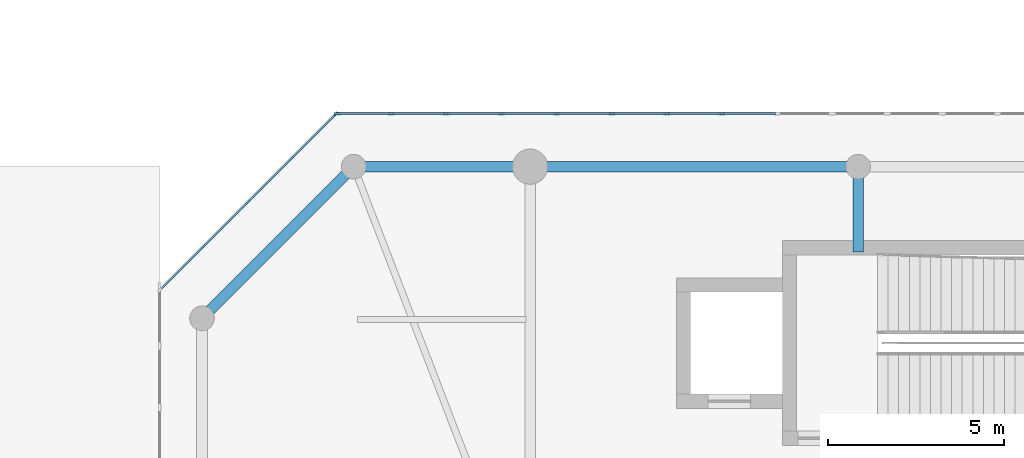
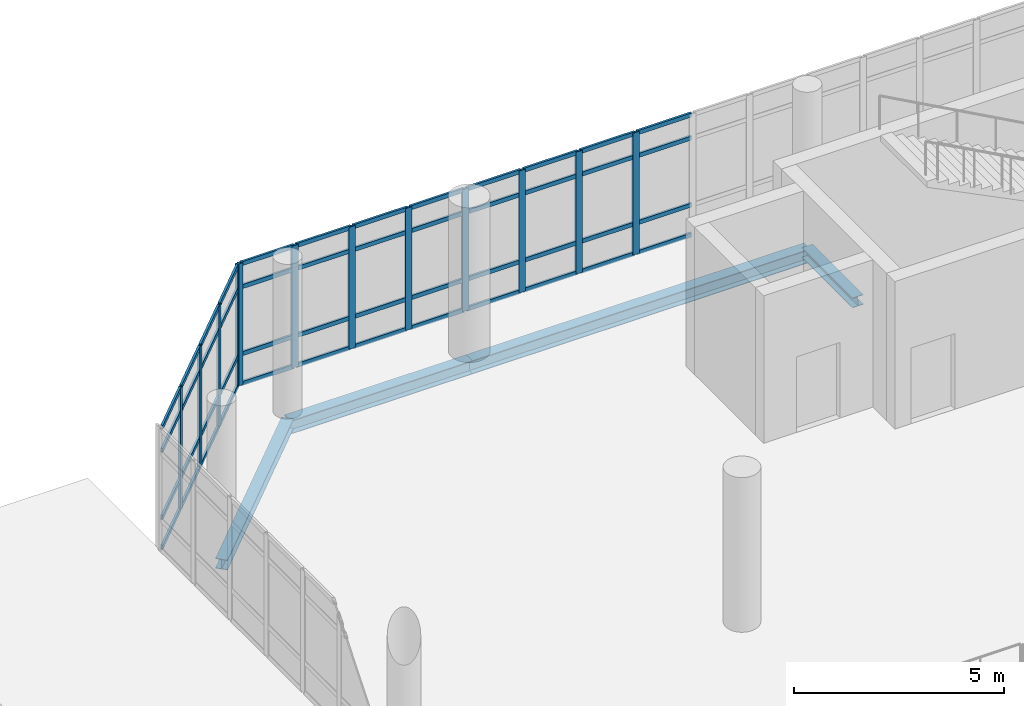
# One storey, part 50 of 134: 60 members, 4 beams, 2 elements without a shape of their own.
"""IFC4 building model written with IfcOpenShell, lengths in metres."""

from ifc_helpers import new_model, si_unit, direction, frame, origin, origin_2d, place, context, subcontext, project, spatial, rectangle, i_section, extrude, material, layer, layer_set, material_profile, profile_set, type_object, element, aggregate, save


model = new_model("IFC4")

# Units and contexts
model_context = context("Model", 3, precision=1e-05, world=origin(), true_north=direction((0.0, 1.0)))
body_context = subcontext(model_context, "Body", "Model", "MODEL_VIEW")
ifc_project = project(units=[si_unit("LENGTHUNIT", "METRE"), si_unit("AREAUNIT", "SQUARE_METRE"), si_unit("VOLUMEUNIT", "CUBIC_METRE"), si_unit("PLANEANGLEUNIT", "RADIAN"), si_unit("MASSUNIT", "GRAM", prefix="KILO")], contexts=[model_context])

# Site, building, storey
site_placement = place(None, origin())
site = spatial("IfcSite", under=ifc_project, at=site_placement, CompositionType="ELEMENT")
building_placement = place(site_placement, origin())
building = spatial("IfcBuilding", under=site, at=building_placement, Name="Sohan Crest Arena", CompositionType="ELEMENT")
storey_placement = place(building_placement, frame((0.0, 0.0, 4.5)))
storey = spatial("IfcBuildingStorey", under=building, at=storey_placement, Name="L01", CompositionType="ELEMENT", Elevation=4.5)

# Curtain wall, members
ifc_material_1 = material(Name="Thermally broken anodised aluminium", Category="aluminium")
ifc_layer = layer(ifc_material_1, 0.199951171875, Name="Thermally broken anodised aluminium")
ifc_layer_set = layer_set([ifc_layer], Name="Thermally broken anodised aluminium")
curtain_wall_type = type_object("IfcCurtainWallType", Name="ARC-CW02", PredefinedType="NOTDEFINED", material=ifc_layer_set)
curtain_wall_1_placement = place(storey_placement, origin())
curtain_wall_1 = element("IfcCurtainWall", 1, at=curtain_wall_1_placement, inside=storey, type_object=curtain_wall_type, Name="Unitised curtain wall CW-207", PredefinedType="NOTDEFINED")
ifc_material_profile_1 = material_profile(ifc_material_1, rectangle(XDim=0.06494140625, YDim=0.179931640625, at=origin_2d()), Name="ALU-MULL 65x180")
ifc_profile_set_1 = profile_set([ifc_material_profile_1], Name="Thermally broken anodised aluminium")
member_type_1 = type_object("IfcMemberType", Name="ARC-CW-ML02", PredefinedType="MULLION", material=ifc_profile_set_1)
member_1_placement = place(storey_placement, frame((29.9375, 106.0, 0.0), z_axis=(0.0, 0.0, 1.0), x_axis=(0.0, -1.0, 0.0)))
member_1 = element("IfcMember", 2, at=member_1_placement, type_object=member_type_1, Name="CW-207 mullion 10", PredefinedType="MULLION", context=body_context, shape_type="SweptSolid", body=[
    extrude(rectangle(XDim=0.06494140625, YDim=0.179931640625, at=origin_2d()), origin(), (0.0, 0.0, 1.0), 3.550048828125),
])
member_2_placement = place(storey_placement, frame((28.375, 106.0, 0.0), z_axis=(0.0, 0.0, 1.0), x_axis=(0.0, -1.0, 0.0)))
member_2 = element("IfcMember", 3, at=member_2_placement, type_object=member_type_1, Name="CW-207 mullion 11", PredefinedType="MULLION", context=body_context, shape_type="SweptSolid", body=[
    extrude(rectangle(XDim=0.06494140625, YDim=0.179931640625, at=origin_2d()), origin(), (0.0, 0.0, 1.0), 3.550048828125),
])
member_3_placement = place(storey_placement, frame((26.8125, 106.0, 0.0), z_axis=(0.0, 0.0, 1.0), x_axis=(0.0, -1.0, 0.0)))
member_3 = element("IfcMember", 4, at=member_3_placement, type_object=member_type_1, Name="CW-207 mullion 12", PredefinedType="MULLION", context=body_context, shape_type="SweptSolid", body=[
    extrude(rectangle(XDim=0.06494140625, YDim=0.179931640625, at=origin_2d()), origin(), (0.0, 0.0, 1.0), 3.550048828125),
])
member_4_placement = place(storey_placement, frame((25.25, 106.0, 0.0), z_axis=(0.0, 0.0, 1.0), x_axis=(0.0, -1.0, 0.0)))
member_4 = element("IfcMember", 5, at=member_4_placement, type_object=member_type_1, Name="CW-207 mullion 13", PredefinedType="MULLION", context=body_context, shape_type="SweptSolid", body=[
    extrude(rectangle(XDim=0.06494140625, YDim=0.179931640625, at=origin_2d()), origin(), (0.0, 0.0, 1.0), 3.550048828125),
])
member_5_placement = place(storey_placement, frame((23.6875, 106.0, 0.0), z_axis=(0.0, 0.0, 1.0), x_axis=(0.0, -1.0, 0.0)))
member_5 = element("IfcMember", 6, at=member_5_placement, type_object=member_type_1, Name="CW-207 mullion 14", PredefinedType="MULLION", context=body_context, shape_type="SweptSolid", body=[
    extrude(rectangle(XDim=0.06494140625, YDim=0.179931640625, at=origin_2d()), origin(), (0.0, 0.0, 1.0), 3.550048828125),
])
member_6_placement = place(storey_placement, frame((22.125, 106.0, 0.0), z_axis=(0.0, 0.0, 1.0), x_axis=(0.0, -1.0, 0.0)))
member_6 = element("IfcMember", 7, at=member_6_placement, type_object=member_type_1, Name="CW-207 mullion 15", PredefinedType="MULLION", context=body_context, shape_type="SweptSolid", body=[
    extrude(rectangle(XDim=0.06494140625, YDim=0.179931640625, at=origin_2d()), origin(), (0.0, 0.0, 1.0), 3.550048828125),
])
member_7_placement = place(storey_placement, frame((20.5625, 106.0, 0.0), z_axis=(0.0, 0.0, 1.0), x_axis=(0.0, -1.0, 0.0)))
member_7 = element("IfcMember", 8, at=member_7_placement, type_object=member_type_1, Name="CW-207 mullion 16", PredefinedType="MULLION", context=body_context, shape_type="SweptSolid", body=[
    extrude(rectangle(XDim=0.06494140625, YDim=0.179931640625, at=origin_2d()), origin(), (0.0, 0.0, 1.0), 3.550048828125),
])
member_8_placement = place(storey_placement, frame((19.032470703125, 106.0, 0.0), z_axis=(0.0, 0.0, 1.0), x_axis=(0.0, -1.0, 0.0)))
member_8 = element("IfcMember", 9, at=member_8_placement, type_object=member_type_1, Name="CW-207 mullion 17", PredefinedType="MULLION", context=body_context, shape_type="SweptSolid", body=[
    extrude(rectangle(XDim=0.06494140625, YDim=0.179931640625, at=origin_2d()), origin(), (0.0, 0.0, 1.0), 3.550048828125),
])

curtain_wall_2_placement = place(storey_placement, origin())
curtain_wall_2 = element("IfcCurtainWall", 10, at=curtain_wall_2_placement, inside=storey, type_object=curtain_wall_type, Name="Unitised curtain wall CW-208", PredefinedType="NOTDEFINED")
member_9_placement = place(storey_placement, frame((18.97705078125, 105.97705078125, 0.0), z_axis=(0.0, 0.0, 1.0), x_axis=(0.707106781187, -0.707106781187, 0.0)))
member_9 = element("IfcMember", 11, at=member_9_placement, type_object=member_type_1, Name="CW-208 mullion 1", PredefinedType="MULLION", context=body_context, shape_type="SweptSolid", body=[
    extrude(rectangle(XDim=0.06494140625, YDim=0.179931640625, at=origin_2d()), origin(), (0.0, 0.0, 1.0), 3.550048828125),
])
member_10_placement = place(storey_placement, frame((17.75, 104.75, 0.0), z_axis=(0.0, 0.0, 1.0), x_axis=(0.707106781187, -0.707106781187, 0.0)))
member_10 = element("IfcMember", 12, at=member_10_placement, type_object=member_type_1, Name="CW-208 mullion 2", PredefinedType="MULLION", context=body_context, shape_type="SweptSolid", body=[
    extrude(rectangle(XDim=0.06494140625, YDim=0.179931640625, at=origin_2d()), origin(), (0.0, 0.0, 1.0), 3.550048828125),
])
member_11_placement = place(storey_placement, frame((16.5, 103.5, 0.0), z_axis=(0.0, 0.0, 1.0), x_axis=(0.707106781187, -0.707106781187, 0.0)))
member_11 = element("IfcMember", 13, at=member_11_placement, type_object=member_type_1, Name="CW-208 mullion 3", PredefinedType="MULLION", context=body_context, shape_type="SweptSolid", body=[
    extrude(rectangle(XDim=0.06494140625, YDim=0.179931640625, at=origin_2d()), origin(), (0.0, 0.0, 1.0), 3.550048828125),
])
member_12_placement = place(storey_placement, frame((15.25, 102.25, 0.0), z_axis=(0.0, 0.0, 1.0), x_axis=(0.707106781187, -0.707106781187, 0.0)))
member_12 = element("IfcMember", 14, at=member_12_placement, type_object=member_type_1, Name="CW-208 mullion 4", PredefinedType="MULLION", context=body_context, shape_type="SweptSolid", body=[
    extrude(rectangle(XDim=0.06494140625, YDim=0.179931640625, at=origin_2d()), origin(), (0.0, 0.0, 1.0), 3.550048828125),
])

# Member
ifc_material_profile_2 = material_profile(ifc_material_1, rectangle(XDim=0.06005859375, YDim=0.1201171875, at=origin_2d()), Name="ALU-TRAN 60x120")
ifc_profile_set_2 = profile_set([ifc_material_profile_2], Name="Thermally broken anodised aluminium")
member_type_2 = type_object("IfcMemberType", Name="ARC-CW-TR01", PredefinedType="USERDEFINED", material=ifc_profile_set_2)
member_13_placement = place(storey_placement, frame((31.467529296875, 106.0, 0.030029296875), z_axis=(-1.0, 0.0, 0.0), x_axis=(0.0, -1.0, 0.0)))
member_13 = element("IfcMember", 15, at=member_13_placement, type_object=member_type_2, Name="CW-207 transom 9.1", ObjectType="TRANSOM", PredefinedType="USERDEFINED", context=body_context, shape_type="SweptSolid", body=[
    extrude(rectangle(XDim=0.06005859375, YDim=0.1201171875, at=origin_2d()), origin(), (0.0, 0.0, 1.0), 1.49755859375),
])

member_14_placement = place(storey_placement, frame((31.467529296875, 106.0, 0.89990234375), z_axis=(-1.0, 0.0, 0.0), x_axis=(0.0, -1.0, 0.0)))
member_14 = element("IfcMember", 16, at=member_14_placement, type_object=member_type_2, Name="CW-207 transom 9.2", ObjectType="TRANSOM", PredefinedType="USERDEFINED", context=body_context, shape_type="SweptSolid", body=[
    extrude(rectangle(XDim=0.06005859375, YDim=0.1201171875, at=origin_2d()), origin(), (0.0, 0.0, 1.0), 1.49755859375),
])

member_15_placement = place(storey_placement, frame((31.467529296875, 106.0, 2.85009765625), z_axis=(-1.0, 0.0, 0.0), x_axis=(0.0, -1.0, 0.0)))
member_15 = element("IfcMember", 17, at=member_15_placement, type_object=member_type_2, Name="CW-207 transom 9.3", ObjectType="TRANSOM", PredefinedType="USERDEFINED", context=body_context, shape_type="SweptSolid", body=[
    extrude(rectangle(XDim=0.06005859375, YDim=0.1201171875, at=origin_2d()), origin(), (0.0, 0.0, 1.0), 1.49755859375),
])

member_16_placement = place(storey_placement, frame((31.467529296875, 106.0, 3.52001953125), z_axis=(-1.0, 0.0, 0.0), x_axis=(0.0, -1.0, 0.0)))
member_16 = element("IfcMember", 18, at=member_16_placement, type_object=member_type_2, Name="CW-207 transom 9.4", ObjectType="TRANSOM", PredefinedType="USERDEFINED", context=body_context, shape_type="SweptSolid", body=[
    extrude(rectangle(XDim=0.06005859375, YDim=0.1201171875, at=origin_2d()), origin(), (0.0, 0.0, 1.0), 1.49755859375),
])

member_17_placement = place(storey_placement, frame((29.905029296875, 106.0, 0.030029296875), z_axis=(-1.0, 0.0, 0.0), x_axis=(0.0, -1.0, 0.0)))
member_17 = element("IfcMember", 19, at=member_17_placement, type_object=member_type_2, Name="CW-207 transom 10.1", ObjectType="TRANSOM", PredefinedType="USERDEFINED", context=body_context, shape_type="SweptSolid", body=[
    extrude(rectangle(XDim=0.06005859375, YDim=0.1201171875, at=origin_2d()), origin(), (0.0, 0.0, 1.0), 1.49755859375),
])

member_18_placement = place(storey_placement, frame((29.905029296875, 106.0, 0.89990234375), z_axis=(-1.0, 0.0, 0.0), x_axis=(0.0, -1.0, 0.0)))
member_18 = element("IfcMember", 20, at=member_18_placement, type_object=member_type_2, Name="CW-207 transom 10.2", ObjectType="TRANSOM", PredefinedType="USERDEFINED", context=body_context, shape_type="SweptSolid", body=[
    extrude(rectangle(XDim=0.06005859375, YDim=0.1201171875, at=origin_2d()), origin(), (0.0, 0.0, 1.0), 1.49755859375),
])

member_19_placement = place(storey_placement, frame((29.905029296875, 106.0, 2.85009765625), z_axis=(-1.0, 0.0, 0.0), x_axis=(0.0, -1.0, 0.0)))
member_19 = element("IfcMember", 21, at=member_19_placement, type_object=member_type_2, Name="CW-207 transom 10.3", ObjectType="TRANSOM", PredefinedType="USERDEFINED", context=body_context, shape_type="SweptSolid", body=[
    extrude(rectangle(XDim=0.06005859375, YDim=0.1201171875, at=origin_2d()), origin(), (0.0, 0.0, 1.0), 1.49755859375),
])

member_20_placement = place(storey_placement, frame((29.905029296875, 106.0, 3.52001953125), z_axis=(-1.0, 0.0, 0.0), x_axis=(0.0, -1.0, 0.0)))
member_20 = element("IfcMember", 22, at=member_20_placement, type_object=member_type_2, Name="CW-207 transom 10.4", ObjectType="TRANSOM", PredefinedType="USERDEFINED", context=body_context, shape_type="SweptSolid", body=[
    extrude(rectangle(XDim=0.06005859375, YDim=0.1201171875, at=origin_2d()), origin(), (0.0, 0.0, 1.0), 1.49755859375),
])

member_21_placement = place(storey_placement, frame((28.342529296875, 106.0, 0.030029296875), z_axis=(-1.0, 0.0, 0.0), x_axis=(0.0, -1.0, 0.0)))
member_21 = element("IfcMember", 23, at=member_21_placement, type_object=member_type_2, Name="CW-207 transom 11.1", ObjectType="TRANSOM", PredefinedType="USERDEFINED", context=body_context, shape_type="SweptSolid", body=[
    extrude(rectangle(XDim=0.06005859375, YDim=0.1201171875, at=origin_2d()), origin(), (0.0, 0.0, 1.0), 1.49755859375),
])

member_22_placement = place(storey_placement, frame((28.342529296875, 106.0, 0.89990234375), z_axis=(-1.0, 0.0, 0.0), x_axis=(0.0, -1.0, 0.0)))
member_22 = element("IfcMember", 24, at=member_22_placement, type_object=member_type_2, Name="CW-207 transom 11.2", ObjectType="TRANSOM", PredefinedType="USERDEFINED", context=body_context, shape_type="SweptSolid", body=[
    extrude(rectangle(XDim=0.06005859375, YDim=0.1201171875, at=origin_2d()), origin(), (0.0, 0.0, 1.0), 1.49755859375),
])

member_23_placement = place(storey_placement, frame((28.342529296875, 106.0, 2.85009765625), z_axis=(-1.0, 0.0, 0.0), x_axis=(0.0, -1.0, 0.0)))
member_23 = element("IfcMember", 25, at=member_23_placement, type_object=member_type_2, Name="CW-207 transom 11.3", ObjectType="TRANSOM", PredefinedType="USERDEFINED", context=body_context, shape_type="SweptSolid", body=[
    extrude(rectangle(XDim=0.06005859375, YDim=0.1201171875, at=origin_2d()), origin(), (0.0, 0.0, 1.0), 1.49755859375),
])

member_24_placement = place(storey_placement, frame((28.342529296875, 106.0, 3.52001953125), z_axis=(-1.0, 0.0, 0.0), x_axis=(0.0, -1.0, 0.0)))
member_24 = element("IfcMember", 26, at=member_24_placement, type_object=member_type_2, Name="CW-207 transom 11.4", ObjectType="TRANSOM", PredefinedType="USERDEFINED", context=body_context, shape_type="SweptSolid", body=[
    extrude(rectangle(XDim=0.06005859375, YDim=0.1201171875, at=origin_2d()), origin(), (0.0, 0.0, 1.0), 1.49755859375),
])

member_25_placement = place(storey_placement, frame((26.780029296875, 106.0, 0.030029296875), z_axis=(-1.0, 0.0, 0.0), x_axis=(0.0, -1.0, 0.0)))
member_25 = element("IfcMember", 27, at=member_25_placement, type_object=member_type_2, Name="CW-207 transom 12.1", ObjectType="TRANSOM", PredefinedType="USERDEFINED", context=body_context, shape_type="SweptSolid", body=[
    extrude(rectangle(XDim=0.06005859375, YDim=0.1201171875, at=origin_2d()), origin(), (0.0, 0.0, 1.0), 1.49755859375),
])

member_26_placement = place(storey_placement, frame((26.780029296875, 106.0, 0.89990234375), z_axis=(-1.0, 0.0, 0.0), x_axis=(0.0, -1.0, 0.0)))
member_26 = element("IfcMember", 28, at=member_26_placement, type_object=member_type_2, Name="CW-207 transom 12.2", ObjectType="TRANSOM", PredefinedType="USERDEFINED", context=body_context, shape_type="SweptSolid", body=[
    extrude(rectangle(XDim=0.06005859375, YDim=0.1201171875, at=origin_2d()), origin(), (0.0, 0.0, 1.0), 1.49755859375),
])

member_27_placement = place(storey_placement, frame((26.780029296875, 106.0, 2.85009765625), z_axis=(-1.0, 0.0, 0.0), x_axis=(0.0, -1.0, 0.0)))
member_27 = element("IfcMember", 29, at=member_27_placement, type_object=member_type_2, Name="CW-207 transom 12.3", ObjectType="TRANSOM", PredefinedType="USERDEFINED", context=body_context, shape_type="SweptSolid", body=[
    extrude(rectangle(XDim=0.06005859375, YDim=0.1201171875, at=origin_2d()), origin(), (0.0, 0.0, 1.0), 1.49755859375),
])

member_28_placement = place(storey_placement, frame((26.780029296875, 106.0, 3.52001953125), z_axis=(-1.0, 0.0, 0.0), x_axis=(0.0, -1.0, 0.0)))
member_28 = element("IfcMember", 30, at=member_28_placement, type_object=member_type_2, Name="CW-207 transom 12.4", ObjectType="TRANSOM", PredefinedType="USERDEFINED", context=body_context, shape_type="SweptSolid", body=[
    extrude(rectangle(XDim=0.06005859375, YDim=0.1201171875, at=origin_2d()), origin(), (0.0, 0.0, 1.0), 1.49755859375),
])

member_29_placement = place(storey_placement, frame((25.217529296875, 106.0, 0.030029296875), z_axis=(-1.0, 0.0, 0.0), x_axis=(0.0, -1.0, 0.0)))
member_29 = element("IfcMember", 31, at=member_29_placement, type_object=member_type_2, Name="CW-207 transom 13.1", ObjectType="TRANSOM", PredefinedType="USERDEFINED", context=body_context, shape_type="SweptSolid", body=[
    extrude(rectangle(XDim=0.06005859375, YDim=0.1201171875, at=origin_2d()), origin(), (0.0, 0.0, 1.0), 1.49755859375),
])

member_30_placement = place(storey_placement, frame((25.217529296875, 106.0, 0.89990234375), z_axis=(-1.0, 0.0, 0.0), x_axis=(0.0, -1.0, 0.0)))
member_30 = element("IfcMember", 32, at=member_30_placement, type_object=member_type_2, Name="CW-207 transom 13.2", ObjectType="TRANSOM", PredefinedType="USERDEFINED", context=body_context, shape_type="SweptSolid", body=[
    extrude(rectangle(XDim=0.06005859375, YDim=0.1201171875, at=origin_2d()), origin(), (0.0, 0.0, 1.0), 1.49755859375),
])

member_31_placement = place(storey_placement, frame((25.217529296875, 106.0, 2.85009765625), z_axis=(-1.0, 0.0, 0.0), x_axis=(0.0, -1.0, 0.0)))
member_31 = element("IfcMember", 33, at=member_31_placement, type_object=member_type_2, Name="CW-207 transom 13.3", ObjectType="TRANSOM", PredefinedType="USERDEFINED", context=body_context, shape_type="SweptSolid", body=[
    extrude(rectangle(XDim=0.06005859375, YDim=0.1201171875, at=origin_2d()), origin(), (0.0, 0.0, 1.0), 1.49755859375),
])

member_32_placement = place(storey_placement, frame((25.217529296875, 106.0, 3.52001953125), z_axis=(-1.0, 0.0, 0.0), x_axis=(0.0, -1.0, 0.0)))
member_32 = element("IfcMember", 34, at=member_32_placement, type_object=member_type_2, Name="CW-207 transom 13.4", ObjectType="TRANSOM", PredefinedType="USERDEFINED", context=body_context, shape_type="SweptSolid", body=[
    extrude(rectangle(XDim=0.06005859375, YDim=0.1201171875, at=origin_2d()), origin(), (0.0, 0.0, 1.0), 1.49755859375),
])

member_33_placement = place(storey_placement, frame((23.655029296875, 106.0, 0.030029296875), z_axis=(-1.0, 0.0, 0.0), x_axis=(0.0, -1.0, 0.0)))
member_33 = element("IfcMember", 35, at=member_33_placement, type_object=member_type_2, Name="CW-207 transom 14.1", ObjectType="TRANSOM", PredefinedType="USERDEFINED", context=body_context, shape_type="SweptSolid", body=[
    extrude(rectangle(XDim=0.06005859375, YDim=0.1201171875, at=origin_2d()), origin(), (0.0, 0.0, 1.0), 1.49755859375),
])

member_34_placement = place(storey_placement, frame((23.655029296875, 106.0, 0.89990234375), z_axis=(-1.0, 0.0, 0.0), x_axis=(0.0, -1.0, 0.0)))
member_34 = element("IfcMember", 36, at=member_34_placement, type_object=member_type_2, Name="CW-207 transom 14.2", ObjectType="TRANSOM", PredefinedType="USERDEFINED", context=body_context, shape_type="SweptSolid", body=[
    extrude(rectangle(XDim=0.06005859375, YDim=0.1201171875, at=origin_2d()), origin(), (0.0, 0.0, 1.0), 1.49755859375),
])

member_35_placement = place(storey_placement, frame((23.655029296875, 106.0, 2.85009765625), z_axis=(-1.0, 0.0, 0.0), x_axis=(0.0, -1.0, 0.0)))
member_35 = element("IfcMember", 37, at=member_35_placement, type_object=member_type_2, Name="CW-207 transom 14.3", ObjectType="TRANSOM", PredefinedType="USERDEFINED", context=body_context, shape_type="SweptSolid", body=[
    extrude(rectangle(XDim=0.06005859375, YDim=0.1201171875, at=origin_2d()), origin(), (0.0, 0.0, 1.0), 1.49755859375),
])

member_36_placement = place(storey_placement, frame((23.655029296875, 106.0, 3.52001953125), z_axis=(-1.0, 0.0, 0.0), x_axis=(0.0, -1.0, 0.0)))
member_36 = element("IfcMember", 38, at=member_36_placement, type_object=member_type_2, Name="CW-207 transom 14.4", ObjectType="TRANSOM", PredefinedType="USERDEFINED", context=body_context, shape_type="SweptSolid", body=[
    extrude(rectangle(XDim=0.06005859375, YDim=0.1201171875, at=origin_2d()), origin(), (0.0, 0.0, 1.0), 1.49755859375),
])

member_37_placement = place(storey_placement, frame((22.092529296875, 106.0, 0.030029296875), z_axis=(-1.0, 0.0, 0.0), x_axis=(0.0, -1.0, 0.0)))
member_37 = element("IfcMember", 39, at=member_37_placement, type_object=member_type_2, Name="CW-207 transom 15.1", ObjectType="TRANSOM", PredefinedType="USERDEFINED", context=body_context, shape_type="SweptSolid", body=[
    extrude(rectangle(XDim=0.06005859375, YDim=0.1201171875, at=origin_2d()), origin(), (0.0, 0.0, 1.0), 1.49755859375),
])

member_38_placement = place(storey_placement, frame((22.092529296875, 106.0, 0.89990234375), z_axis=(-1.0, 0.0, 0.0), x_axis=(0.0, -1.0, 0.0)))
member_38 = element("IfcMember", 40, at=member_38_placement, type_object=member_type_2, Name="CW-207 transom 15.2", ObjectType="TRANSOM", PredefinedType="USERDEFINED", context=body_context, shape_type="SweptSolid", body=[
    extrude(rectangle(XDim=0.06005859375, YDim=0.1201171875, at=origin_2d()), origin(), (0.0, 0.0, 1.0), 1.49755859375),
])

member_39_placement = place(storey_placement, frame((22.092529296875, 106.0, 2.85009765625), z_axis=(-1.0, 0.0, 0.0), x_axis=(0.0, -1.0, 0.0)))
member_39 = element("IfcMember", 41, at=member_39_placement, type_object=member_type_2, Name="CW-207 transom 15.3", ObjectType="TRANSOM", PredefinedType="USERDEFINED", context=body_context, shape_type="SweptSolid", body=[
    extrude(rectangle(XDim=0.06005859375, YDim=0.1201171875, at=origin_2d()), origin(), (0.0, 0.0, 1.0), 1.49755859375),
])

member_40_placement = place(storey_placement, frame((22.092529296875, 106.0, 3.52001953125), z_axis=(-1.0, 0.0, 0.0), x_axis=(0.0, -1.0, 0.0)))
member_40 = element("IfcMember", 42, at=member_40_placement, type_object=member_type_2, Name="CW-207 transom 15.4", ObjectType="TRANSOM", PredefinedType="USERDEFINED", context=body_context, shape_type="SweptSolid", body=[
    extrude(rectangle(XDim=0.06005859375, YDim=0.1201171875, at=origin_2d()), origin(), (0.0, 0.0, 1.0), 1.49755859375),
])

member_41_placement = place(storey_placement, frame((20.530029296875, 106.0, 0.030029296875), z_axis=(-1.0, 0.0, 0.0), x_axis=(0.0, -1.0, 0.0)))
member_41 = element("IfcMember", 43, at=member_41_placement, type_object=member_type_2, Name="CW-207 transom 16.1", ObjectType="TRANSOM", PredefinedType="USERDEFINED", context=body_context, shape_type="SweptSolid", body=[
    extrude(rectangle(XDim=0.06005859375, YDim=0.1201171875, at=origin_2d()), origin(), (0.0, 0.0, 1.0), 1.465087890625),
])

member_42_placement = place(storey_placement, frame((20.530029296875, 106.0, 0.89990234375), z_axis=(-1.0, 0.0, 0.0), x_axis=(0.0, -1.0, 0.0)))
member_42 = element("IfcMember", 44, at=member_42_placement, type_object=member_type_2, Name="CW-207 transom 16.2", ObjectType="TRANSOM", PredefinedType="USERDEFINED", context=body_context, shape_type="SweptSolid", body=[
    extrude(rectangle(XDim=0.06005859375, YDim=0.1201171875, at=origin_2d()), origin(), (0.0, 0.0, 1.0), 1.465087890625),
])

member_43_placement = place(storey_placement, frame((20.530029296875, 106.0, 2.85009765625), z_axis=(-1.0, 0.0, 0.0), x_axis=(0.0, -1.0, 0.0)))
member_43 = element("IfcMember", 45, at=member_43_placement, type_object=member_type_2, Name="CW-207 transom 16.3", ObjectType="TRANSOM", PredefinedType="USERDEFINED", context=body_context, shape_type="SweptSolid", body=[
    extrude(rectangle(XDim=0.06005859375, YDim=0.1201171875, at=origin_2d()), origin(), (0.0, 0.0, 1.0), 1.465087890625),
])

member_44_placement = place(storey_placement, frame((20.530029296875, 106.0, 3.52001953125), z_axis=(-1.0, 0.0, 0.0), x_axis=(0.0, -1.0, 0.0)))
member_44 = element("IfcMember", 46, at=member_44_placement, type_object=member_type_2, Name="CW-207 transom 16.4", ObjectType="TRANSOM", PredefinedType="USERDEFINED", context=body_context, shape_type="SweptSolid", body=[
    extrude(rectangle(XDim=0.06005859375, YDim=0.1201171875, at=origin_2d()), origin(), (0.0, 0.0, 1.0), 1.465087890625),
])

aggregate(curtain_wall_1, [member_1, member_2, member_3, member_4, member_5, member_6, member_7, member_8, member_13, member_14, member_15, member_16, member_17, member_18, member_19, member_20, member_21, member_22, member_23, member_24, member_25, member_26, member_27, member_28, member_29, member_30, member_31, member_32, member_33, member_34, member_35, member_36, member_37, member_38, member_39, member_40, member_41, member_42, member_43, member_44])

member_45_placement = place(storey_placement, frame((18.9541015625, 105.9541015625, 0.030029296875), z_axis=(-0.707106781187, -0.707106781187, 0.0), x_axis=(0.707106781187, -0.707106781187, 0.0)))
member_45 = element("IfcMember", 47, at=member_45_placement, type_object=member_type_2, Name="CW-208 transom 1.1", ObjectType="TRANSOM", PredefinedType="USERDEFINED", context=body_context, shape_type="SweptSolid", body=[
    extrude(rectangle(XDim=0.06005859375, YDim=0.1201171875, at=origin_2d()), origin(), (0.0, 0.0, 1.0), 1.67041015625),
])

member_46_placement = place(storey_placement, frame((18.9541015625, 105.9541015625, 0.89990234375), z_axis=(-0.707106781187, -0.707106781187, 0.0), x_axis=(0.707106781187, -0.707106781187, 0.0)))
member_46 = element("IfcMember", 48, at=member_46_placement, type_object=member_type_2, Name="CW-208 transom 1.2", ObjectType="TRANSOM", PredefinedType="USERDEFINED", context=body_context, shape_type="SweptSolid", body=[
    extrude(rectangle(XDim=0.06005859375, YDim=0.1201171875, at=origin_2d()), origin(), (0.0, 0.0, 1.0), 1.67041015625),
])

member_47_placement = place(storey_placement, frame((18.9541015625, 105.9541015625, 2.85009765625), z_axis=(-0.707106781187, -0.707106781187, 0.0), x_axis=(0.707106781187, -0.707106781187, 0.0)))
member_47 = element("IfcMember", 49, at=member_47_placement, type_object=member_type_2, Name="CW-208 transom 1.3", ObjectType="TRANSOM", PredefinedType="USERDEFINED", context=body_context, shape_type="SweptSolid", body=[
    extrude(rectangle(XDim=0.06005859375, YDim=0.1201171875, at=origin_2d()), origin(), (0.0, 0.0, 1.0), 1.67041015625),
])

member_48_placement = place(storey_placement, frame((18.9541015625, 105.9541015625, 3.52001953125), z_axis=(-0.707106781187, -0.707106781187, 0.0), x_axis=(0.707106781187, -0.707106781187, 0.0)))
member_48 = element("IfcMember", 50, at=member_48_placement, type_object=member_type_2, Name="CW-208 transom 1.4", ObjectType="TRANSOM", PredefinedType="USERDEFINED", context=body_context, shape_type="SweptSolid", body=[
    extrude(rectangle(XDim=0.06005859375, YDim=0.1201171875, at=origin_2d()), origin(), (0.0, 0.0, 1.0), 1.67041015625),
])

member_49_placement = place(storey_placement, frame((17.72705078125, 104.72705078125, 0.030029296875), z_axis=(-0.707106781187, -0.707106781187, 0.0), x_axis=(0.707106781187, -0.707106781187, 0.0)))
member_49 = element("IfcMember", 51, at=member_49_placement, type_object=member_type_2, Name="CW-208 transom 2.1", ObjectType="TRANSOM", PredefinedType="USERDEFINED", context=body_context, shape_type="SweptSolid", body=[
    extrude(rectangle(XDim=0.06005859375, YDim=0.1201171875, at=origin_2d()), origin(), (0.0, 0.0, 1.0), 1.702880859375),
])

member_50_placement = place(storey_placement, frame((17.72705078125, 104.72705078125, 0.89990234375), z_axis=(-0.707106781187, -0.707106781187, 0.0), x_axis=(0.707106781187, -0.707106781187, 0.0)))
member_50 = element("IfcMember", 52, at=member_50_placement, type_object=member_type_2, Name="CW-208 transom 2.2", ObjectType="TRANSOM", PredefinedType="USERDEFINED", context=body_context, shape_type="SweptSolid", body=[
    extrude(rectangle(XDim=0.06005859375, YDim=0.1201171875, at=origin_2d()), origin(), (0.0, 0.0, 1.0), 1.702880859375),
])

member_51_placement = place(storey_placement, frame((17.72705078125, 104.72705078125, 2.85009765625), z_axis=(-0.707106781187, -0.707106781187, 0.0), x_axis=(0.707106781187, -0.707106781187, 0.0)))
member_51 = element("IfcMember", 53, at=member_51_placement, type_object=member_type_2, Name="CW-208 transom 2.3", ObjectType="TRANSOM", PredefinedType="USERDEFINED", context=body_context, shape_type="SweptSolid", body=[
    extrude(rectangle(XDim=0.06005859375, YDim=0.1201171875, at=origin_2d()), origin(), (0.0, 0.0, 1.0), 1.702880859375),
])

member_52_placement = place(storey_placement, frame((17.72705078125, 104.72705078125, 3.52001953125), z_axis=(-0.707106781187, -0.707106781187, 0.0), x_axis=(0.707106781187, -0.707106781187, 0.0)))
member_52 = element("IfcMember", 54, at=member_52_placement, type_object=member_type_2, Name="CW-208 transom 2.4", ObjectType="TRANSOM", PredefinedType="USERDEFINED", context=body_context, shape_type="SweptSolid", body=[
    extrude(rectangle(XDim=0.06005859375, YDim=0.1201171875, at=origin_2d()), origin(), (0.0, 0.0, 1.0), 1.702880859375),
])

member_53_placement = place(storey_placement, frame((16.47705078125, 103.47705078125, 0.030029296875), z_axis=(-0.707106781187, -0.707106781187, 0.0), x_axis=(0.707106781187, -0.707106781187, 0.0)))
member_53 = element("IfcMember", 55, at=member_53_placement, type_object=member_type_2, Name="CW-208 transom 3.1", ObjectType="TRANSOM", PredefinedType="USERDEFINED", context=body_context, shape_type="SweptSolid", body=[
    extrude(rectangle(XDim=0.06005859375, YDim=0.1201171875, at=origin_2d()), origin(), (0.0, 0.0, 1.0), 1.702880859375),
])

member_54_placement = place(storey_placement, frame((16.47705078125, 103.47705078125, 0.89990234375), z_axis=(-0.707106781187, -0.707106781187, 0.0), x_axis=(0.707106781187, -0.707106781187, 0.0)))
member_54 = element("IfcMember", 56, at=member_54_placement, type_object=member_type_2, Name="CW-208 transom 3.2", ObjectType="TRANSOM", PredefinedType="USERDEFINED", context=body_context, shape_type="SweptSolid", body=[
    extrude(rectangle(XDim=0.06005859375, YDim=0.1201171875, at=origin_2d()), origin(), (0.0, 0.0, 1.0), 1.702880859375),
])

member_55_placement = place(storey_placement, frame((16.47705078125, 103.47705078125, 2.85009765625), z_axis=(-0.707106781187, -0.707106781187, 0.0), x_axis=(0.707106781187, -0.707106781187, 0.0)))
member_55 = element("IfcMember", 57, at=member_55_placement, type_object=member_type_2, Name="CW-208 transom 3.3", ObjectType="TRANSOM", PredefinedType="USERDEFINED", context=body_context, shape_type="SweptSolid", body=[
    extrude(rectangle(XDim=0.06005859375, YDim=0.1201171875, at=origin_2d()), origin(), (0.0, 0.0, 1.0), 1.702880859375),
])

member_56_placement = place(storey_placement, frame((16.47705078125, 103.47705078125, 3.52001953125), z_axis=(-0.707106781187, -0.707106781187, 0.0), x_axis=(0.707106781187, -0.707106781187, 0.0)))
member_56 = element("IfcMember", 58, at=member_56_placement, type_object=member_type_2, Name="CW-208 transom 3.4", ObjectType="TRANSOM", PredefinedType="USERDEFINED", context=body_context, shape_type="SweptSolid", body=[
    extrude(rectangle(XDim=0.06005859375, YDim=0.1201171875, at=origin_2d()), origin(), (0.0, 0.0, 1.0), 1.702880859375),
])

member_57_placement = place(storey_placement, frame((15.22705078125, 102.22705078125, 0.030029296875), z_axis=(-0.707106781187, -0.707106781187, 0.0), x_axis=(0.707106781187, -0.707106781187, 0.0)))
member_57 = element("IfcMember", 59, at=member_57_placement, type_object=member_type_2, Name="CW-208 transom 4.1", ObjectType="TRANSOM", PredefinedType="USERDEFINED", context=body_context, shape_type="SweptSolid", body=[
    extrude(rectangle(XDim=0.06005859375, YDim=0.1201171875, at=origin_2d()), origin(), (0.0, 0.0, 1.0), 1.67041015625),
])

member_58_placement = place(storey_placement, frame((15.22705078125, 102.22705078125, 0.89990234375), z_axis=(-0.707106781187, -0.707106781187, 0.0), x_axis=(0.707106781187, -0.707106781187, 0.0)))
member_58 = element("IfcMember", 60, at=member_58_placement, type_object=member_type_2, Name="CW-208 transom 4.2", ObjectType="TRANSOM", PredefinedType="USERDEFINED", context=body_context, shape_type="SweptSolid", body=[
    extrude(rectangle(XDim=0.06005859375, YDim=0.1201171875, at=origin_2d()), origin(), (0.0, 0.0, 1.0), 1.67041015625),
])

member_59_placement = place(storey_placement, frame((15.22705078125, 102.22705078125, 2.85009765625), z_axis=(-0.707106781187, -0.707106781187, 0.0), x_axis=(0.707106781187, -0.707106781187, 0.0)))
member_59 = element("IfcMember", 61, at=member_59_placement, type_object=member_type_2, Name="CW-208 transom 4.3", ObjectType="TRANSOM", PredefinedType="USERDEFINED", context=body_context, shape_type="SweptSolid", body=[
    extrude(rectangle(XDim=0.06005859375, YDim=0.1201171875, at=origin_2d()), origin(), (0.0, 0.0, 1.0), 1.67041015625),
])

member_60_placement = place(storey_placement, frame((15.22705078125, 102.22705078125, 3.52001953125), z_axis=(-0.707106781187, -0.707106781187, 0.0), x_axis=(0.707106781187, -0.707106781187, 0.0)))
member_60 = element("IfcMember", 62, at=member_60_placement, type_object=member_type_2, Name="CW-208 transom 4.4", ObjectType="TRANSOM", PredefinedType="USERDEFINED", context=body_context, shape_type="SweptSolid", body=[
    extrude(rectangle(XDim=0.06005859375, YDim=0.1201171875, at=origin_2d()), origin(), (0.0, 0.0, 1.0), 1.67041015625),
])

aggregate(curtain_wall_2, [member_9, member_10, member_11, member_12, member_45, member_46, member_47, member_48, member_49, member_50, member_51, member_52, member_53, member_54, member_55, member_56, member_57, member_58, member_59, member_60])

# Beams
ifc_material_2 = material(Name="Steel S355", Category="steel")
ifc_material_profile_3 = material_profile(ifc_material_2, i_section(OverallWidth=0.300048828125, OverallDepth=0.2900390625, WebThickness=0.008544921875, FlangeThickness=0.013916015625, at=origin_2d()), Name="HEA 300")
ifc_profile_set_3 = profile_set([ifc_material_profile_3], Name="Steel S355")
beam_type_1 = type_object("IfcBeamType", Name="STR-BM-B08", PredefinedType="BEAM", material=ifc_profile_set_3)
beam_1_placement = place(storey_placement, frame((33.800048828125, 102.080078125, -0.35498046875), z_axis=(0.0, 1.0, 0.0), x_axis=(-1.0, 0.0, 0.0)))
element("IfcBeam", 63, at=beam_1_placement, inside=storey, type_object=beam_type_1, Name="Structural beam G-L01-1992", PredefinedType="BEAM", context=body_context, shape_type="SweptSolid", body=[
    extrude(i_section(OverallWidth=0.300048828125, OverallDepth=0.2900390625, WebThickness=0.008544921875, FlangeThickness=0.013916015625, at=origin_2d()), origin(), (0.0, 0.0, 1.0), 2.419921875),
])
beam_2_placement = place(storey_placement, frame((15.199951171875, 100.199951171875, -0.35498046875), z_axis=(0.707106781187, 0.707106781187, 0.0), x_axis=(-0.707106781187, 0.707106781187, 0.0)))
element("IfcBeam", 64, at=beam_2_placement, inside=storey, type_object=beam_type_1, Name="Structural beam G-L01-2031", PredefinedType="BEAM", context=body_context, shape_type="SweptSolid", body=[
    extrude(i_section(OverallWidth=0.300048828125, OverallDepth=0.2900390625, WebThickness=0.008544921875, FlangeThickness=0.013916015625, at=origin_2d()), origin(), (0.0, 0.0, 1.0), 6.081298828125),
])
ifc_material_profile_4 = material_profile(ifc_material_2, i_section(OverallWidth=0.300048828125, OverallDepth=0.389892578125, WebThickness=0.010986328125, FlangeThickness=0.01904296875, at=origin_2d()), Name="HEA 400")
ifc_profile_set_4 = profile_set([ifc_material_profile_4], Name="Steel S355")
beam_type_2 = type_object("IfcBeamType", Name="STR-BM-B09", PredefinedType="BEAM", material=ifc_profile_set_4)
beam_3_placement = place(storey_placement, frame((19.5, 104.5, -0.405029296875), z_axis=(1.0, 0.0, 0.0), x_axis=(0.0, 1.0, 0.0)))
element("IfcBeam", 65, at=beam_3_placement, inside=storey, type_object=beam_type_2, Name="Structural beam G-L01-2027", PredefinedType="BEAM", context=body_context, shape_type="SweptSolid", body=[
    extrude(i_section(OverallWidth=0.300048828125, OverallDepth=0.389892578125, WebThickness=0.010986328125, FlangeThickness=0.01904296875, at=origin_2d()), origin(), (0.0, 0.0, 1.0), 5.0),
])
beam_4_placement = place(storey_placement, frame((24.5, 104.5, -0.405029296875), z_axis=(1.0, 0.0, 0.0), x_axis=(0.0, 1.0, 0.0)))
element("IfcBeam", 66, at=beam_4_placement, inside=storey, type_object=beam_type_2, Name="Structural beam G-L01-2028", PredefinedType="BEAM", context=body_context, shape_type="SweptSolid", body=[
    extrude(i_section(OverallWidth=0.300048828125, OverallDepth=0.389892578125, WebThickness=0.010986328125, FlangeThickness=0.01904296875, at=origin_2d()), origin(), (0.0, 0.0, 1.0), 9.300048828125),
])

save(model, "model.ifc")
